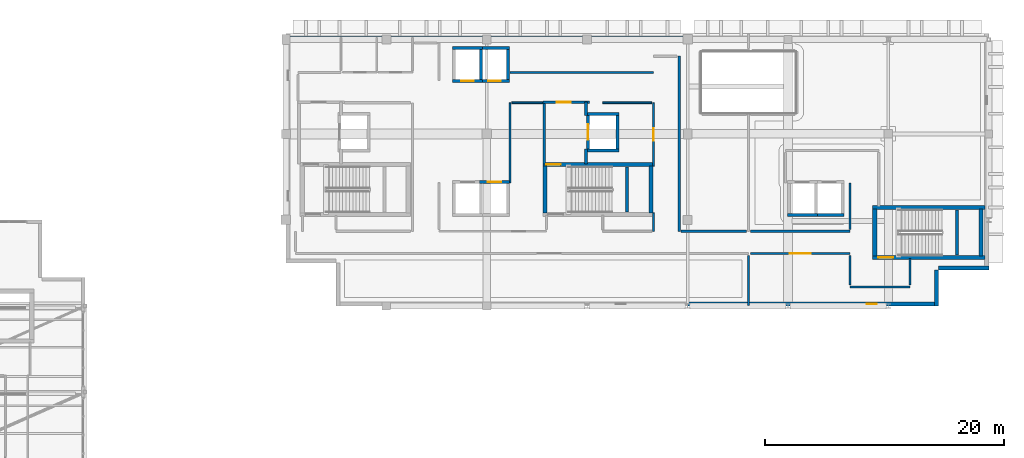
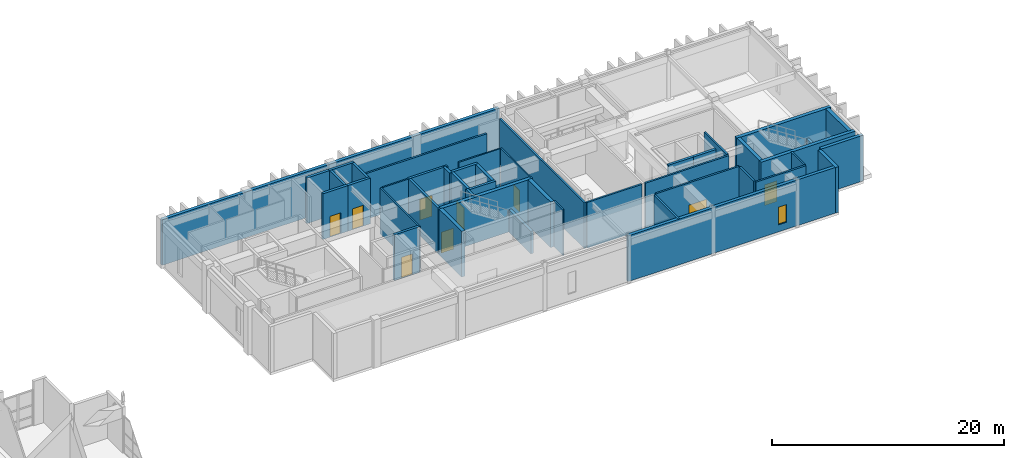
# One storey, part 29 of 34: 45 walls, 9 doors, 1 window, 10 openings.
"""IFC4 building model written with IfcOpenShell, lengths in metres."""

from ifc_helpers import new_model, si_unit, direction, frame, frame_2d, origin, place, context, subcontext, project, spatial, rectangle, extrude, material, layer, layer_set, type_object, element, fill, save


model = new_model("IFC4")

# Units and contexts
model_context = context("Model", 3, precision=1e-05, world=origin(), true_north=direction((0.0, 1.0)))
body_context = subcontext(model_context, "Body", "Model", "MODEL_VIEW")
ifc_project = project(units=[si_unit("LENGTHUNIT", "METRE"), si_unit("AREAUNIT", "SQUARE_METRE"), si_unit("VOLUMEUNIT", "CUBIC_METRE"), si_unit("PLANEANGLEUNIT", "RADIAN"), si_unit("MASSUNIT", "GRAM", prefix="KILO")], contexts=[model_context])

# Site, building, storey
site_placement = place(None, origin())
site = spatial("IfcSite", under=ifc_project, at=site_placement, CompositionType="ELEMENT")
building_placement = place(site_placement, origin())
building = spatial("IfcBuilding", under=site, at=building_placement, Name="Quendrovan Civic Courthouse", CompositionType="ELEMENT")
storey_placement = place(building_placement, frame((0.0, 0.0, 25.5)))
storey = spatial("IfcBuildingStorey", under=building, at=storey_placement, Name="L06", CompositionType="ELEMENT", Elevation=25.5)

# Wall, opening, door
ifc_material_1 = material(Name="Acoustic gypsum stud partition")
ifc_layer_1 = layer(ifc_material_1, 0.139892578125, Name="Acoustic gypsum stud partition")
ifc_layer_set_1 = layer_set([ifc_layer_1], Name="Acoustic gypsum stud partition")
wall_type_1 = type_object("IfcWallType", Name="WL-CHM-140", PredefinedType="PARTITIONING", material=ifc_layer_set_1)
wall_1_placement = place(storey_placement, frame((64.35009765625, 104.60009765625, 0.0), z_axis=(0.0, 0.0, 1.0), x_axis=(0.0, -1.0, 0.0)))
wall_1 = element("IfcWall", 1, at=wall_1_placement, inside=storey, type_object=wall_type_1, Name="L06 Judges' Chambers Suite Partition 0764", PredefinedType="PARTITIONING", context=body_context, shape_type="SweptSolid", body=[
    extrude(rectangle(XDim=5.300048828125, YDim=0.139892578125, at=frame_2d((2.64990234375, 0.0))), origin(), (0.0, 0.0, 1.0), 4.820068359375),
])
opening_1_placement = place(wall_1_placement, frame((2.1298828125, 0.0, 0.0)))
opening_1 = element("IfcOpeningElement", 2, at=opening_1_placement, cuts=wall_1, Name="Opening D-L06-113", PredefinedType="OPENING", context=body_context, shape_type="SweptSolid", body=[
    extrude(rectangle(XDim=1.0400390625, YDim=2.260009765625, at=frame_2d((0.52001953125, 1.1298828125))), frame((0.0, 0.080078125, 0.0), z_axis=(0.0, -1.0, 0.0), x_axis=(1.0, 0.0, 0.0)), (0.0, 0.0, 1.0), 0.159912109375),
])
ifc_material_2 = material(Name="Solid Western Red Cedar timber door", Category="wood")
door_type_1 = type_object("IfcDoorType", Name="DR-CHM-1040", OperationType="NOTDEFINED", PredefinedType="DOOR", material=ifc_material_2)
door_1_placement = place(opening_1_placement, origin())
door_1 = element("IfcDoor", 3, at=door_1_placement, inside=storey, type_object=door_type_1, Name="L06 Judges' Chambers Suite Door D-L06-113", OperationType="SINGLE_SWING_RIGHT", OverallHeight=2.260009765625, OverallWidth=1.0400390625, PredefinedType="DOOR", context=body_context, shape_type="SweptSolid", body=[
    extrude(rectangle(XDim=1.0400390625, YDim=2.260009765625, at=frame_2d((0.52001953125, 1.1298828125))), frame((0.0, 0.02490234375, 0.0), z_axis=(0.0, -1.0, 0.0), x_axis=(1.0, 0.0, 0.0)), (0.0, 0.0, 1.0), 0.050048828125),
])
fill(opening_1, door_1)

# Walls
wall_2_placement = place(storey_placement, frame((64.35009765625, 95.39990234375, 0.0), z_axis=(0.0, 0.0, 1.0), x_axis=(0.0, -1.0, 0.0)))
element("IfcWall", 4, at=wall_2_placement, inside=storey, type_object=wall_type_1, Name="L06 Judges' Chambers Suite Partition 0765", PredefinedType="PARTITIONING", context=body_context, shape_type="SweptSolid", body=[
    extrude(rectangle(XDim=1.5498046875, YDim=0.139892578125, at=frame_2d((0.77490234375, 0.0))), origin(), (0.0, 0.0, 1.0), 4.820068359375),
])
wall_3_placement = place(storey_placement, frame((60.10009765625, 104.60009765625, 0.0), z_axis=(0.0, 0.0, 1.0), x_axis=(1.0, 0.0, 0.0)))
element("IfcWall", 5, at=wall_3_placement, inside=storey, type_object=wall_type_1, Name="L06 Judges' Chambers Suite Partition 0785", PredefinedType="PARTITIONING", context=body_context, shape_type="SweptSolid", body=[
    extrude(rectangle(XDim=4.099853515625, YDim=0.139892578125, at=frame_2d((2.0498046875, 0.0))), origin(), (0.0, 0.0, 1.0), 4.820068359375),
])

# Wall, opening, door
ifc_material_3 = material(Name="Concrete C45/55", Category="concrete")
ifc_layer_2 = layer(ifc_material_3, 0.35009765625, Name="Concrete C45/55")
ifc_layer_set_2 = layer_set([ifc_layer_2], Name="Concrete C45/55")
wall_type_2 = type_object("IfcWallType", Name="WL-CORE-350", PredefinedType="SHEAR", material=ifc_layer_set_2)
wall_4_placement = place(storey_placement, frame((64.31005859375, 99.43505859375, 0.0), z_axis=(0.0, 0.0, 1.0), x_axis=(-1.0, 0.0, 0.0)))
wall_4 = element("IfcWall", 6, at=wall_4_placement, inside=storey, type_object=wall_type_2, Name="L06 Core Shear Wall ST2-N", PredefinedType="SHEAR", context=body_context, shape_type="SweptSolid", body=[
    extrude(rectangle(XDim=9.219970703125, YDim=0.35009765625, at=frame_2d((4.60986328125, 0.0))), origin(), (0.0, 0.0, 1.0), 4.820068359375),
])
opening_2_placement = place(wall_4_placement, frame((7.719970703125, 0.0, 0.0)))
opening_2 = element("IfcOpeningElement", 7, at=opening_2_placement, cuts=wall_4, Name="Opening DFF-ST2-L06", PredefinedType="OPENING", context=body_context, shape_type="SweptSolid", body=[
    extrude(rectangle(XDim=1.199951171875, YDim=2.199951171875, at=frame_2d((0.60009765625, 1.10009765625))), frame((0.0, 0.18505859375, 0.0), z_axis=(0.0, -1.0, 0.0), x_axis=(1.0, 0.0, 0.0)), (0.0, 0.0, 1.0), 0.3701171875),
])
ifc_material_4 = material(Name="Painted galvanized hollow-metal steel", Category="steel")
door_type_2 = type_object("IfcDoorType", Name="DR-FFLOB-1200", OperationType="NOTDEFINED", PredefinedType="DOOR", material=ifc_material_4)
door_2_placement = place(opening_2_placement, origin())
door_2 = element("IfcDoor", 8, at=door_2_placement, inside=storey, type_object=door_type_2, Name="L06 Firefighting Lobby FL2 Direct Stair ST2 Door", OperationType="SINGLE_SWING_RIGHT", OverallHeight=2.199951171875, OverallWidth=1.199951171875, PredefinedType="DOOR", context=body_context, shape_type="SweptSolid", body=[
    extrude(rectangle(XDim=1.199951171875, YDim=2.199951171875, at=frame_2d((0.60009765625, 1.10009765625))), frame((0.0, 0.02490234375, 0.0), z_axis=(0.0, -1.0, 0.0), x_axis=(1.0, 0.0, 0.0)), (0.0, 0.0, 1.0), 0.050048828125),
])
fill(opening_2, door_2)

# Walls
for number, where, z_axis, x_axis, name in (
    (9, (55.264892578125, 95.39990234375, 0.0), (0.0, 0.0, 1.0), (0.0, 1.0, 0.0), "L06 Core Shear Wall ST2-W"),
    (10, (64.135009765625, 99.300048828125, 0.0), (0.0, 0.0, 1.0), (0.0, -1.0, 0.0), "L06 Core Shear Wall ST2-E"),
):
    element("IfcWall", number, at=place(storey_placement, frame(where, z_axis=z_axis, x_axis=x_axis)), inside=storey, type_object=wall_type_2, Name=name, PredefinedType="SHEAR", context=body_context, shape_type="SweptSolid", body=[
        extrude(rectangle(XDim=3.900146484375, YDim=0.35009765625, at=frame_2d((1.9501953125, 0.0))), origin(), (0.0, 0.0, 1.0), 4.820068359375),
    ])

# Wall, opening, door
wall_5_placement = place(storey_placement, frame((82.68994140625, 91.6650390625, 0.0), z_axis=(0.0, 0.0, 1.0), x_axis=(1.0, 0.0, 0.0)))
wall_5 = element("IfcWall", 11, at=wall_5_placement, inside=storey, type_object=wall_type_2, Name="L06 Core Shear Wall ST3-S", PredefinedType="SHEAR", context=body_context, shape_type="SweptSolid", body=[
    extrude(rectangle(XDim=9.41015625, YDim=0.35009765625, at=frame_2d((4.705078125, 0.0))), origin(), (0.0, 0.0, 1.0), 4.820068359375),
])
opening_3_placement = place(wall_5_placement, frame((0.449951171875, 0.0, 0.0)))
opening_3 = element("IfcOpeningElement", 12, at=opening_3_placement, cuts=wall_5, Name="Opening DS-ST3-L06", PredefinedType="OPENING", context=body_context, shape_type="SweptSolid", body=[
    extrude(rectangle(XDim=1.25, YDim=2.199951171875, at=frame_2d((0.625, 1.10009765625))), frame((0.0, 0.18505859375, 0.0), z_axis=(0.0, -1.0, 0.0), x_axis=(1.0, 0.0, 0.0)), (0.0, 0.0, 1.0), 0.3701171875),
])
door_type_3 = type_object("IfcDoorType", Name="DR-STAIR-1250", OperationType="NOTDEFINED", PredefinedType="DOOR", material=ifc_material_4)
door_3_placement = place(opening_3_placement, origin())
door_3 = element("IfcDoor", 13, at=door_3_placement, inside=storey, type_object=door_type_3, Name="L06 Exit Stair ST3 Fire Door", OperationType="SINGLE_SWING_RIGHT", OverallHeight=2.199951171875, OverallWidth=1.25, PredefinedType="DOOR", context=body_context, shape_type="SweptSolid", body=[
    extrude(rectangle(XDim=1.25, YDim=2.199951171875, at=frame_2d((0.625, 1.10009765625))), frame((0.0, 0.02490234375, 0.0), z_axis=(0.0, -1.0, 0.0), x_axis=(1.0, 0.0, 0.0)), (0.0, 0.0, 1.0), 0.050048828125),
])
fill(opening_3, door_3)

# Walls
wall_6_placement = place(storey_placement, frame((92.10009765625, 95.8349609375, 0.0), z_axis=(0.0, 0.0, 1.0), x_axis=(-1.0, 0.0, 0.0)))
element("IfcWall", 14, at=wall_6_placement, inside=storey, type_object=wall_type_2, Name="L06 Core Shear Wall ST3-N", PredefinedType="SHEAR", context=body_context, shape_type="SweptSolid", body=[
    extrude(rectangle(XDim=9.41015625, YDim=0.35009765625, at=frame_2d((4.705078125, 0.0))), origin(), (0.0, 0.0, 1.0), 4.820068359375),
])
for number, where, z_axis, x_axis, name in (
    (15, (82.864990234375, 91.800048828125, 0.0), (0.0, 0.0, 1.0), (0.0, 1.0, 0.0), "L06 Core Shear Wall ST3-W"),
    (16, (91.735107421875, 95.699951171875, 0.0), (0.0, 0.0, 1.0), (0.0, -1.0, 0.0), "L06 Core Shear Wall ST3-E"),
):
    element("IfcWall", number, at=place(storey_placement, frame(where, z_axis=z_axis, x_axis=x_axis)), inside=storey, type_object=wall_type_2, Name=name, PredefinedType="SHEAR", context=body_context, shape_type="SweptSolid", body=[
        extrude(rectangle(XDim=3.89990234375, YDim=0.35009765625, at=frame_2d((1.949951171875, 0.0))), origin(), (0.0, 0.0, 1.0), 4.820068359375),
    ])
ifc_material_5 = material(Name="Acoustic gypsum and mineral wool partition")
ifc_layer_3 = layer(ifc_material_5, 0.179931640625, Name="Acoustic gypsum and mineral wool partition")
ifc_layer_set_3 = layer_set([ifc_layer_3], Name="Acoustic gypsum and mineral wool partition")
wall_type_3 = type_object("IfcWallType", Name="WL-CRT-AC180", PredefinedType="PARTITIONING", material=ifc_layer_set_3)
wall_7_placement = place(storey_placement, frame((66.5, 93.85009765625, 0.0), z_axis=(0.0, 0.0, 1.0), x_axis=(0.0, 1.0, 0.0)))
element("IfcWall", 17, at=wall_7_placement, inside=storey, type_object=wall_type_3, Name="L06 Family Courtroom Partition 0757", PredefinedType="PARTITIONING", context=body_context, shape_type="SweptSolid", body=[
    extrude(rectangle(XDim=14.64990234375, YDim=0.179931640625, at=frame_2d((7.324951171875, 0.0))), origin(), (0.0, 0.0, 1.0), 4.820068359375),
])
wall_8_placement = place(storey_placement, frame((64.35009765625, 107.14990234375, 0.0), z_axis=(0.0, 0.0, 1.0), x_axis=(-1.0, 0.0, 0.0)))
element("IfcWall", 18, at=wall_8_placement, inside=storey, type_object=wall_type_3, Name="L06 Family Courtroom Partition 0760", PredefinedType="PARTITIONING", context=body_context, shape_type="SweptSolid", body=[
    extrude(rectangle(XDim=12.0, YDim=0.179931640625, at=frame_2d((6.0, 0.0))), origin(), (0.0, 0.0, 1.0), 4.820068359375),
])

# Wall, opening, door
wall_9_placement = place(storey_placement, frame((72.469970703125, 92.0, 0.0), z_axis=(0.0, 0.0, 1.0), x_axis=(1.0, 0.0, 0.0)))
wall_9 = element("IfcWall", 19, at=wall_9_placement, inside=storey, type_object=wall_type_3, Name="L06 Trial Courtroom Partition 0768", PredefinedType="PARTITIONING", context=body_context, shape_type="SweptSolid", body=[
    extrude(rectangle(XDim=8.330078125, YDim=0.179931640625, at=frame_2d((4.1650390625, 0.0))), origin(), (0.0, 0.0, 1.0), 4.820068359375),
])
opening_4_placement = place(wall_9_placement, frame((3.284912109375, 0.0, 0.0)))
opening_4 = element("IfcOpeningElement", 20, at=opening_4_placement, cuts=wall_9, Name="Opening D-L06-111", PredefinedType="OPENING", context=body_context, shape_type="SweptSolid", body=[
    extrude(rectangle(XDim=1.760009765625, YDim=2.47998046875, at=frame_2d((0.8798828125, 1.239990234375))), frame((0.0, 0.10009765625, 0.0), z_axis=(0.0, -1.0, 0.0), x_axis=(1.0, 0.0, 0.0)), (0.0, 0.0, 1.0), 0.199951171875),
])
ifc_material_6 = material(Name="Acoustic solid Western Red Cedar timber door", Category="wood")
door_type_4 = type_object("IfcDoorType", Name="DR-CRT-DBL1760", OperationType="NOTDEFINED", PredefinedType="DOOR", material=ifc_material_6)
door_4_placement = place(opening_4_placement, origin())
door_4 = element("IfcDoor", 21, at=door_4_placement, inside=storey, type_object=door_type_4, Name="L06 Trial Courtroom Door D-L06-111", OperationType="SINGLE_SWING_RIGHT", OverallHeight=2.47998046875, OverallWidth=1.760009765625, PredefinedType="DOOR", context=body_context, shape_type="SweptSolid", body=[
    extrude(rectangle(XDim=1.760009765625, YDim=2.47998046875, at=frame_2d((0.8798828125, 1.239990234375))), frame((0.0, 0.02490234375, 0.0), z_axis=(0.0, -1.0, 0.0), x_axis=(1.0, 0.0, 0.0)), (0.0, 0.0, 1.0), 0.050048828125),
])
fill(opening_4, door_4)

# Walls
wall_10_placement = place(storey_placement, frame((80.800048828125, 93.85009765625, 0.0), z_axis=(0.0, 0.0, 1.0), x_axis=(-1.0, 0.0, 0.0)))
element("IfcWall", 22, at=wall_10_placement, inside=storey, type_object=wall_type_3, Name="L06 Trial Courtroom Partition 0769", PredefinedType="PARTITIONING", context=body_context, shape_type="SweptSolid", body=[
    extrude(rectangle(XDim=8.330078125, YDim=0.179931640625, at=frame_2d((4.1650390625, 0.0))), origin(), (0.0, 0.0, 1.0), 4.820068359375),
])
wall_11_placement = place(storey_placement, frame((72.1298828125, 93.85009765625, 0.0), z_axis=(0.0, 0.0, 1.0), x_axis=(-1.0, 0.0, 0.0)))
element("IfcWall", 23, at=wall_11_placement, inside=storey, type_object=wall_type_3, Name="L06 Family Courtroom Partition 0775", PredefinedType="PARTITIONING", context=body_context, shape_type="SweptSolid", body=[
    extrude(rectangle(XDim=5.4599609375, YDim=0.179931640625, at=frame_2d((2.72998046875, 0.0))), origin(), (0.0, 0.0, 1.0), 4.820068359375),
])
wall_12_placement = place(storey_placement, frame((80.800048828125, 89.199951171875, 0.0), z_axis=(0.0, 0.0, 1.0), x_axis=(1.0, 0.0, 0.0)))
element("IfcWall", 24, at=wall_12_placement, inside=storey, type_object=wall_type_3, Name="L06 Trial Courtroom Partition 0779", PredefinedType="PARTITIONING", context=body_context, shape_type="SweptSolid", body=[
    extrude(rectangle(XDim=5.0, YDim=0.179931640625, at=frame_2d((2.5, 0.0))), origin(), (0.0, 0.0, 1.0), 4.820068359375),
])
wall_13_placement = place(storey_placement, frame((72.300048828125, 91.830078125, 0.0), z_axis=(0.0, 0.0, 1.0), x_axis=(0.0, -1.0, 0.0)))
element("IfcWall", 25, at=wall_13_placement, inside=storey, type_object=wall_type_3, Name="L06 Family Courtroom Partition 0782", PredefinedType="PARTITIONING", context=body_context, shape_type="SweptSolid", body=[
    extrude(rectangle(XDim=4.170166015625, YDim=0.179931640625, at=frame_2d((2.0849609375, 0.0))), origin(), (0.0, 0.0, 1.0), 4.820068359375),
])
wall_14_placement = place(storey_placement, frame((80.800048828125, 97.89990234375, 0.0), z_axis=(0.0, 0.0, 1.0), x_axis=(0.0, -1.0, 0.0)))
element("IfcWall", 26, at=wall_14_placement, inside=storey, type_object=wall_type_3, Name="L06 Trial Courtroom Partition 0791", PredefinedType="PARTITIONING", context=body_context, shape_type="SweptSolid", body=[
    extrude(rectangle(XDim=3.8798828125, YDim=0.179931640625, at=frame_2d((1.93994140625, 0.0))), origin(), (0.0, 0.0, 1.0), 4.820068359375),
])
wall_15_placement = place(storey_placement, frame((80.800048828125, 91.830078125, 0.0), z_axis=(0.0, 0.0, 1.0), x_axis=(0.0, -1.0, 0.0)))
element("IfcWall", 27, at=wall_15_placement, inside=storey, type_object=wall_type_3, Name="L06 Trial Courtroom Partition 0801", PredefinedType="PARTITIONING", context=body_context, shape_type="SweptSolid", body=[
    extrude(rectangle(XDim=2.4599609375, YDim=0.179931640625, at=frame_2d((1.22998046875, 0.0))), origin(), (0.0, 0.0, 1.0), 4.820068359375),
])
wall_16_placement = place(storey_placement, frame((85.800048828125, 89.3701171875, 0.0), z_axis=(0.0, 0.0, 1.0), x_axis=(0.0, 1.0, 0.0)))
element("IfcWall", 28, at=wall_16_placement, inside=storey, type_object=wall_type_3, Name="L06 Trial Courtroom Partition 0807", PredefinedType="PARTITIONING", context=body_context, shape_type="SweptSolid", body=[
    extrude(rectangle(XDim=2.2099609375, YDim=0.179931640625, at=frame_2d((1.10498046875, 0.0))), origin(), (0.0, 0.0, 1.0), 4.820068359375),
])
ifc_material_7 = material(Name="Precast concrete C45/55", Category="concrete")
ifc_layer_4 = layer(ifc_material_7, 0.320068359375, Name="Precast concrete C45/55")
ifc_layer_set_4 = layer_set([ifc_layer_4], Name="Precast concrete C45/55")
wall_type_4 = type_object("IfcWallType", Name="WL-EXT-PC320", PredefinedType="SOLIDWALL", material=ifc_layer_set_4)
wall_17_placement = place(storey_placement, frame((92.39990234375, 90.780029296875, 0.0), z_axis=(0.0, 0.0, 1.0), x_axis=(-1.0, 0.0, 0.0)))
element("IfcWall", 29, at=wall_17_placement, inside=storey, type_object=wall_type_4, Name="L06 Exterior Precast Concrete Wall 494", PredefinedType="SOLIDWALL", context=body_context, shape_type="SweptSolid", body=[
    extrude(rectangle(XDim=4.199951171875, YDim=0.320068359375, at=frame_2d((2.10009765625, 0.0))), origin(), (0.0, 0.0, 1.0), 4.820068359375),
])
wall_18_placement = place(storey_placement, frame((88.02001953125, 90.60009765625, 0.0), z_axis=(0.0, 0.0, 1.0), x_axis=(0.0, -1.0, 0.0)))
element("IfcWall", 30, at=wall_18_placement, inside=storey, type_object=wall_type_4, Name="L06 Exterior Precast Concrete Wall 495", PredefinedType="SOLIDWALL", context=body_context, shape_type="SweptSolid", body=[
    extrude(rectangle(XDim=3.0, YDim=0.320068359375, at=frame_2d((1.5, 0.0))), origin(), (0.0, 0.0, 1.0), 4.820068359375),
])

# Wall, opening, window
wall_19_placement = place(storey_placement, frame((88.199951171875, 87.780029296875, 0.0), z_axis=(0.0, 0.0, 1.0), x_axis=(-1.0, 0.0, 0.0)))
wall_19 = element("IfcWall", 31, at=wall_19_placement, inside=storey, type_object=wall_type_4, Name="L06 Exterior Precast Concrete Wall 496", PredefinedType="SOLIDWALL", context=body_context, shape_type="SweptSolid", body=[
    extrude(rectangle(XDim=21.0, YDim=0.320068359375, at=frame_2d((10.5, 0.0))), origin(), (0.0, 0.0, 1.0), 4.820068359375),
])
opening_5_placement = place(wall_19_placement, frame((5.18994140625, 0.0, 0.75)))
opening_5 = element("IfcOpeningElement", 32, at=opening_5_placement, cuts=wall_19, Name="Opening W06", PredefinedType="OPENING", context=body_context, shape_type="SweptSolid", body=[
    extrude(rectangle(XDim=0.820068359375, YDim=1.85009765625, at=frame_2d((0.41015625, 0.925048828125))), frame((0.0, 0.169921875, 0.0), z_axis=(0.0, -1.0, 0.0), x_axis=(1.0, 0.0, 0.0)), (0.0, 0.0, 1.0), 0.340087890625),
])
ifc_material_8 = material(Name="Laminated hurricane-impact low-E glass", Category="glass")
window_type = type_object("IfcWindowType", Name="WIN-SLT-06", PartitioningType="SINGLE_PANEL", PredefinedType="WINDOW", material=ifc_material_8)
window_placement = place(opening_5_placement, origin())
window = element("IfcWindow", 33, at=window_placement, inside=storey, type_object=window_type, Name="L06 Courtroom Shaded Slot Window 0043", OverallHeight=1.85009765625, OverallWidth=0.820068359375, PartitioningType="SINGLE_PANEL", PredefinedType="WINDOW", context=body_context, shape_type="SweptSolid", body=[
    extrude(rectangle(XDim=0.820068359375, YDim=1.85009765625, at=frame_2d((0.41015625, 0.925048828125))), frame((0.0, 0.030029296875, 0.0), z_axis=(0.0, -1.0, 0.0), x_axis=(1.0, 0.0, 0.0)), (0.0, 0.0, 1.0), 0.06005859375),
])
fill(opening_5, window)

# Wall
wall_20_placement = place(storey_placement, frame((33.60009765625, 110.02001953125, 0.0), z_axis=(0.0, 0.0, 1.0), x_axis=(1.0, 0.0, 0.0)))
element("IfcWall", 34, at=wall_20_placement, inside=storey, type_object=wall_type_4, Name="L06 Exterior Precast Concrete Wall 501", PredefinedType="SOLIDWALL", context=body_context, shape_type="SweptSolid", body=[
    extrude(rectangle(XDim=33.599853515625, YDim=0.320068359375, at=frame_2d((16.7998046875, 0.0))), origin(), (0.0, 0.0, 1.0), 4.820068359375),
])

# Wall, opening, door
ifc_material_9 = material(Name="Concrete C40/50", Category="concrete")
ifc_layer_5 = layer(ifc_material_9, 0.22998046875, Name="Concrete C40/50")
ifc_layer_set_5 = layer_set([ifc_layer_5], Name="Concrete C40/50")
wall_type_5 = type_object("IfcWallType", Name="WL-FFLOB-230", PredefinedType="PARTITIONING", material=ifc_layer_set_5)
wall_21_placement = place(storey_placement, frame((55.090087890625, 104.64990234375, 0.0), z_axis=(0.0, 0.0, 1.0), x_axis=(1.0, 0.0, 0.0)))
wall_21 = element("IfcWall", 35, at=wall_21_placement, inside=storey, type_object=wall_type_5, Name="L06 Firefighting Lift Lobby FL2 Wall N", PredefinedType="PARTITIONING", context=body_context, shape_type="SweptSolid", body=[
    extrude(rectangle(XDim=3.889892578125, YDim=0.22998046875, at=frame_2d((1.94482421875, 0.0))), origin(), (0.0, 0.0, 1.0), 4.820068359375),
])
opening_6_placement = place(wall_21_placement, frame((1.14990234375, 0.0, 0.0)))
opening_6 = element("IfcOpeningElement", 36, at=opening_6_placement, cuts=wall_21, Name="Opening DF-FL2-L06N", PredefinedType="OPENING", context=body_context, shape_type="SweptSolid", body=[
    extrude(rectangle(XDim=1.199951171875, YDim=2.199951171875, at=frame_2d((0.60009765625, 1.10009765625))), frame((0.0, 0.125, 0.0), z_axis=(0.0, -1.0, 0.0), x_axis=(1.0, 0.0, 0.0)), (0.0, 0.0, 1.0), 0.25),
])
door_5_placement = place(opening_6_placement, origin())
door_5 = element("IfcDoor", 37, at=door_5_placement, inside=storey, type_object=door_type_2, Name="L06 Firefighting Lobby FL2 Fire Door N", OperationType="SINGLE_SWING_LEFT", OverallHeight=2.199951171875, OverallWidth=1.199951171875, PredefinedType="DOOR", context=body_context, shape_type="SweptSolid", body=[
    extrude(rectangle(XDim=1.199951171875, YDim=2.199951171875, at=frame_2d((0.60009765625, 1.10009765625))), frame((0.0, 0.02490234375, 0.0), z_axis=(0.0, -1.0, 0.0), x_axis=(1.0, 0.0, 0.0)), (0.0, 0.0, 1.0), 0.050048828125),
])
fill(opening_6, door_5)

# Walls
wall_22_placement = place(storey_placement, frame((55.199951171875, 99.5, 0.0), z_axis=(0.0, 0.0, 1.0), x_axis=(0.0, 1.0, 0.0)))
element("IfcWall", 38, at=wall_22_placement, inside=storey, type_object=wall_type_5, Name="L06 Firefighting Lift Lobby FL2 Wall W", PredefinedType="PARTITIONING", context=body_context, shape_type="SweptSolid", body=[
    extrude(rectangle(XDim=5.260009765625, YDim=0.22998046875, at=frame_2d((2.6298828125, 0.0))), origin(), (0.0, 0.0, 1.0), 4.820068359375),
])
wall_23_placement = place(storey_placement, frame((58.699951171875, 104.64990234375, 0.0), z_axis=(0.0, 0.0, 1.0), x_axis=(0.0, -1.0, 0.0)))
element("IfcWall", 39, at=wall_23_placement, inside=storey, type_object=wall_type_5, Name="L06 Firefighting Lift Lobby FL2 Wall EN", PredefinedType="PARTITIONING", context=body_context, shape_type="SweptSolid", body=[
    extrude(rectangle(XDim=1.099853515625, YDim=0.22998046875, at=frame_2d((0.5498046875, 0.0))), origin(), (0.0, 0.0, 1.0), 4.820068359375),
])
wall_24_placement = place(storey_placement, frame((58.699951171875, 100.75, 0.0), z_axis=(0.0, 0.0, 1.0), x_axis=(0.0, -1.0, 0.0)))
element("IfcWall", 40, at=wall_24_placement, inside=storey, type_object=wall_type_5, Name="L06 Firefighting Lift Lobby FL2 Wall ES", PredefinedType="PARTITIONING", context=body_context, shape_type="SweptSolid", body=[
    extrude(rectangle(XDim=1.25, YDim=0.22998046875, at=frame_2d((0.625, 0.0))), origin(), (0.0, 0.0, 1.0), 4.820068359375),
])
ifc_layer_6 = layer(ifc_material_1, 0.14990234375, Name="Acoustic gypsum stud partition")
ifc_layer_set_6 = layer_set([ifc_layer_6], Name="Acoustic gypsum stud partition")
wall_type_6 = type_object("IfcWallType", Name="WL-JURY-150", PredefinedType="PARTITIONING", material=ifc_layer_set_6)
wall_25_placement = place(storey_placement, frame((52.35009765625, 97.89990234375, 0.0), z_axis=(0.0, 0.0, 1.0), x_axis=(0.0, 1.0, 0.0)))
element("IfcWall", 41, at=wall_25_placement, inside=storey, type_object=wall_type_6, Name="L06 Jury Room Partition 0771", PredefinedType="PARTITIONING", context=body_context, shape_type="SweptSolid", body=[
    extrude(rectangle(XDim=6.7001953125, YDim=0.14990234375, at=frame_2d((3.35009765625, 0.0))), origin(), (0.0, 0.0, 1.0), 4.820068359375),
])
wall_26_placement = place(storey_placement, frame((52.5048828125, 104.60009765625, 0.0), z_axis=(0.0, 0.0, 1.0), x_axis=(1.0, 0.0, 0.0)))
element("IfcWall", 42, at=wall_26_placement, inside=storey, type_object=wall_type_6, Name="L06 Jury Room Partition 0804", PredefinedType="PARTITIONING", context=body_context, shape_type="SweptSolid", body=[
    extrude(rectangle(XDim=2.5751953125, YDim=0.14990234375, at=frame_2d((1.28759765625, 0.0))), origin(), (0.0, 0.0, 1.0), 4.820068359375),
])
ifc_layer_7 = layer(ifc_material_3, 0.25, Name="Concrete C45/55")
ifc_layer_set_7 = layer_set([ifc_layer_7], Name="Concrete C45/55")
wall_type_7 = type_object("IfcWallType", Name="WL-SHAFT-250", PredefinedType="SHEAR", material=ifc_layer_set_7)
wall_27_placement = place(storey_placement, frame((62.14990234375, 95.449951171875, 0.0), z_axis=(0.0, 0.0, 1.0), x_axis=(0.0, 1.0, 0.0)))
element("IfcWall", 43, at=wall_27_placement, inside=storey, type_object=wall_type_7, Name="L06 Stair ST2 Mid-Landing Bearing Wall", PredefinedType="SHEAR", context=body_context, shape_type="SweptSolid", body=[
    extrude(rectangle(XDim=3.800048828125, YDim=0.25, at=frame_2d((1.89990234375, 0.0))), origin(), (0.0, 0.0, 1.0), 2.3701171875),
])
wall_28_placement = place(storey_placement, frame((89.75, 91.85009765625, 0.0), z_axis=(0.0, 0.0, 1.0), x_axis=(0.0, 1.0, 0.0)))
element("IfcWall", 44, at=wall_28_placement, inside=storey, type_object=wall_type_7, Name="L06 Stair ST3 Mid-Landing Bearing Wall", PredefinedType="SHEAR", context=body_context, shape_type="SweptSolid", body=[
    extrude(rectangle(XDim=3.7998046875, YDim=0.25, at=frame_2d((1.89990234375, 0.0))), origin(), (0.0, 0.0, 1.0), 2.3701171875),
])
for number, where, z_axis, x_axis, name in (
    (45, (75.550048828125, 95.22509765625, 0.0), (0.0, 0.0, 1.0), (1.0, 0.0, 0.0), "L06 Lift Hoistway Wall PL1 -Y"),
    (46, (77.800048828125, 95.22509765625, 0.0), (0.0, 0.0, 1.0), (1.0, 0.0, 0.0), "L06 Lift Hoistway Wall PL2 -Y"),
):
    element("IfcWall", number, at=place(storey_placement, frame(where, z_axis=z_axis, x_axis=x_axis)), inside=storey, type_object=wall_type_7, Name=name, PredefinedType="SHEAR", context=body_context, shape_type="SweptSolid", body=[
        extrude(rectangle(XDim=2.5, YDim=0.25, at=frame_2d((1.25, 0.0))), origin(), (0.0, 0.0, 1.0), 4.820068359375),
    ])

# Wall, opening, door
wall_29_placement = place(storey_placement, frame((52.300048828125, 97.97509765625, 0.0), z_axis=(0.0, 0.0, 1.0), x_axis=(-1.0, 0.0, 0.0)))
wall_29 = element("IfcWall", 47, at=wall_29_placement, inside=storey, type_object=wall_type_7, Name="L06 Lift Hoistway Wall PL4 +Y", PredefinedType="SHEAR", context=body_context, shape_type="SweptSolid", body=[
    extrude(rectangle(XDim=2.5, YDim=0.25, at=frame_2d((1.25, 0.0))), origin(), (0.0, 0.0, 1.0), 4.820068359375),
])
opening_7_placement = place(wall_29_placement, frame((0.699951171875, 0.0, 0.0)))
opening_7 = element("IfcOpeningElement", 48, at=opening_7_placement, cuts=wall_29, Name="Opening LD-PL4-L06", PredefinedType="OPENING", context=body_context, shape_type="SweptSolid", body=[
    extrude(rectangle(XDim=1.10009765625, YDim=2.199951171875, at=frame_2d((0.550048828125, 1.10009765625))), frame((0.0, 0.135009765625, 0.0), z_axis=(0.0, -1.0, 0.0), x_axis=(1.0, 0.0, 0.0)), (0.0, 0.0, 1.0), 0.27001953125),
])
ifc_material_10 = material(Name="Brushed bronze-anodised stainless steel", Category="steel")
door_type_5 = type_object("IfcDoorType", Name="DR-LIFT-LD-PL", OperationType="NOTDEFINED", PredefinedType="DOOR", material=ifc_material_10)
door_6_placement = place(opening_7_placement, origin())
door_6 = element("IfcDoor", 49, at=door_6_placement, inside=storey, type_object=door_type_5, Name="L06 Lift PL4 Sliding Landing Door", OperationType="SLIDING_TO_LEFT", OverallHeight=2.199951171875, OverallWidth=1.10009765625, PredefinedType="DOOR", context=body_context, shape_type="SweptSolid", body=[
    extrude(rectangle(XDim=1.10009765625, YDim=2.199951171875, at=frame_2d((0.550048828125, 1.10009765625))), frame((0.0, 0.02490234375, 0.0), z_axis=(0.0, -1.0, 0.0), x_axis=(1.0, 0.0, 0.0)), (0.0, 0.0, 1.0), 0.050048828125),
])
fill(opening_7, door_6)

wall_30_placement = place(storey_placement, frame((47.550048828125, 106.425048828125, 0.0), z_axis=(0.0, 0.0, 1.0), x_axis=(1.0, 0.0, 0.0)))
wall_30 = element("IfcWall", 50, at=wall_30_placement, inside=storey, type_object=wall_type_7, Name="L06 Lift Hoistway Wall JL1 -Y", PredefinedType="SHEAR", context=body_context, shape_type="SweptSolid", body=[
    extrude(rectangle(XDim=2.5, YDim=0.25, at=frame_2d((1.25, 0.0))), origin(), (0.0, 0.0, 1.0), 4.820068359375),
])
opening_8_placement = place(wall_30_placement, frame((0.719970703125, 0.0, 0.0)))
opening_8 = element("IfcOpeningElement", 51, at=opening_8_placement, cuts=wall_30, Name="Opening LD-JL1-L06", PredefinedType="OPENING", context=body_context, shape_type="SweptSolid", body=[
    extrude(rectangle(XDim=1.06005859375, YDim=2.199951171875, at=frame_2d((0.530029296875, 1.10009765625))), frame((0.0, 0.135009765625, 0.0), z_axis=(0.0, -1.0, 0.0), x_axis=(1.0, 0.0, 0.0)), (0.0, 0.0, 1.0), 0.27001953125),
])
door_type_6 = type_object("IfcDoorType", Name="DR-LIFT-LD-JL", OperationType="NOTDEFINED", PredefinedType="DOOR", material=ifc_material_10)
door_7_placement = place(opening_8_placement, origin())
door_7 = element("IfcDoor", 52, at=door_7_placement, inside=storey, type_object=door_type_6, Name="L06 Lift JL1 Sliding Landing Door", OperationType="SLIDING_TO_LEFT", OverallHeight=2.199951171875, OverallWidth=1.06005859375, PredefinedType="DOOR", context=body_context, shape_type="SweptSolid", body=[
    extrude(rectangle(XDim=1.06005859375, YDim=2.199951171875, at=frame_2d((0.530029296875, 1.10009765625))), frame((0.0, 0.02490234375, 0.0), z_axis=(0.0, -1.0, 0.0), x_axis=(1.0, 0.0, 0.0)), (0.0, 0.0, 1.0), 0.050048828125),
])
fill(opening_8, door_7)

# Walls
for number, where, z_axis, x_axis, name in (
    (53, (50.050048828125, 109.175048828125, 0.0), (0.0, 0.0, 1.0), (-1.0, 0.0, 0.0), "L06 Lift Hoistway Wall JL1 +Y"),
    (54, (49.925048828125, 109.050048828125, 0.0), (0.0, 0.0, 1.0), (0.0, -1.0, 0.0), "L06 Lift Hoistway Wall JL1 +X"),
):
    element("IfcWall", number, at=place(storey_placement, frame(where, z_axis=z_axis, x_axis=x_axis)), inside=storey, type_object=wall_type_7, Name=name, PredefinedType="SHEAR", context=body_context, shape_type="SweptSolid", body=[
        extrude(rectangle(XDim=2.5, YDim=0.25, at=frame_2d((1.25, 0.0))), origin(), (0.0, 0.0, 1.0), 4.820068359375),
    ])

# Wall, opening, door
wall_31_placement = place(storey_placement, frame((49.800048828125, 106.425048828125, 0.0), z_axis=(0.0, 0.0, 1.0), x_axis=(1.0, 0.0, 0.0)))
wall_31 = element("IfcWall", 55, at=wall_31_placement, inside=storey, type_object=wall_type_7, Name="L06 Lift Hoistway Wall JL2 -Y", PredefinedType="SHEAR", context=body_context, shape_type="SweptSolid", body=[
    extrude(rectangle(XDim=2.5, YDim=0.25, at=frame_2d((1.25, 0.0))), origin(), (0.0, 0.0, 1.0), 4.820068359375),
])
opening_9_placement = place(wall_31_placement, frame((0.719970703125, 0.0, 0.0)))
opening_9 = element("IfcOpeningElement", 56, at=opening_9_placement, cuts=wall_31, Name="Opening LD-JL2-L06", PredefinedType="OPENING", context=body_context, shape_type="SweptSolid", body=[
    extrude(rectangle(XDim=1.06005859375, YDim=2.199951171875, at=frame_2d((0.530029296875, 1.10009765625))), frame((0.0, 0.135009765625, 0.0), z_axis=(0.0, -1.0, 0.0), x_axis=(1.0, 0.0, 0.0)), (0.0, 0.0, 1.0), 0.27001953125),
])
door_8_placement = place(opening_9_placement, origin())
door_8 = element("IfcDoor", 57, at=door_8_placement, inside=storey, type_object=door_type_6, Name="L06 Lift JL2 Sliding Landing Door", OperationType="SLIDING_TO_LEFT", OverallHeight=2.199951171875, OverallWidth=1.06005859375, PredefinedType="DOOR", context=body_context, shape_type="SweptSolid", body=[
    extrude(rectangle(XDim=1.06005859375, YDim=2.199951171875, at=frame_2d((0.530029296875, 1.10009765625))), frame((0.0, 0.02490234375, 0.0), z_axis=(0.0, -1.0, 0.0), x_axis=(1.0, 0.0, 0.0)), (0.0, 0.0, 1.0), 0.050048828125),
])
fill(opening_9, door_8)

# Walls
for number, where, z_axis, x_axis, name in (
    (58, (52.300048828125, 109.175048828125, 0.0), (0.0, 0.0, 1.0), (-1.0, 0.0, 0.0), "L06 Lift Hoistway Wall JL2 +Y"),
    (59, (52.175048828125, 109.050048828125, 0.0), (0.0, 0.0, 1.0), (0.0, -1.0, 0.0), "L06 Lift Hoistway Wall JL2 +X"),
):
    element("IfcWall", number, at=place(storey_placement, frame(where, z_axis=z_axis, x_axis=x_axis)), inside=storey, type_object=wall_type_7, Name=name, PredefinedType="SHEAR", context=body_context, shape_type="SweptSolid", body=[
        extrude(rectangle(XDim=2.5, YDim=0.25, at=frame_2d((1.25, 0.0))), origin(), (0.0, 0.0, 1.0), 4.820068359375),
    ])
for number, where, z_axis, x_axis, name in (
    (60, (58.75, 100.625, 0.0), (0.0, 0.0, 1.0), (1.0, 0.0, 0.0), "L06 Lift Hoistway Wall FL2 -Y"),
    (61, (61.449951171875, 103.675048828125, 0.0), (0.0, 0.0, 1.0), (-1.0, 0.0, 0.0), "L06 Lift Hoistway Wall FL2 +Y"),
):
    element("IfcWall", number, at=place(storey_placement, frame(where, z_axis=z_axis, x_axis=x_axis)), inside=storey, type_object=wall_type_7, Name=name, PredefinedType="SHEAR", context=body_context, shape_type="SweptSolid", body=[
        extrude(rectangle(XDim=2.699951171875, YDim=0.25, at=frame_2d((1.35009765625, 0.0))), origin(), (0.0, 0.0, 1.0), 4.820068359375),
    ])

# Wall, opening, door
wall_32_placement = place(storey_placement, frame((58.875, 100.75, 0.0), z_axis=(0.0, 0.0, 1.0), x_axis=(0.0, 1.0, 0.0)))
wall_32 = element("IfcWall", 62, at=wall_32_placement, inside=storey, type_object=wall_type_7, Name="L06 Lift Hoistway Wall FL2 -X", PredefinedType="SHEAR", context=body_context, shape_type="SweptSolid", body=[
    extrude(rectangle(XDim=2.800048828125, YDim=0.25, at=frame_2d((1.39990234375, 0.0))), origin(), (0.0, 0.0, 1.0), 4.820068359375),
])
opening_10_placement = place(wall_32_placement, frame((0.75, 0.0, 0.0)))
opening_10 = element("IfcOpeningElement", 63, at=opening_10_placement, cuts=wall_32, Name="Opening LD-FL2-L06", PredefinedType="OPENING", context=body_context, shape_type="SweptSolid", body=[
    extrude(rectangle(XDim=1.300048828125, YDim=2.25, at=frame_2d((0.64990234375, 1.125))), frame((0.0, 0.135009765625, 0.0), z_axis=(0.0, -1.0, 0.0), x_axis=(1.0, 0.0, 0.0)), (0.0, 0.0, 1.0), 0.27001953125),
])
ifc_material_11 = material(Name="Smoke-tight fire-service stainless steel", Category="steel")
door_type_7 = type_object("IfcDoorType", Name="DR-LIFT-LD-FL", OperationType="NOTDEFINED", PredefinedType="DOOR", material=ifc_material_11)
door_9_placement = place(opening_10_placement, origin())
door_9 = element("IfcDoor", 64, at=door_9_placement, inside=storey, type_object=door_type_7, Name="L06 Lift FL2 Sliding Landing Door", OperationType="SLIDING_TO_LEFT", OverallHeight=2.25, OverallWidth=1.300048828125, PredefinedType="DOOR", context=body_context, shape_type="SweptSolid", body=[
    extrude(rectangle(XDim=1.300048828125, YDim=2.25, at=frame_2d((0.64990234375, 1.125))), frame((0.0, 0.02490234375, 0.0), z_axis=(0.0, -1.0, 0.0), x_axis=(1.0, 0.0, 0.0)), (0.0, 0.0, 1.0), 0.050048828125),
])
fill(opening_10, door_9)

# Wall
wall_33_placement = place(storey_placement, frame((61.324951171875, 103.550048828125, 0.0), z_axis=(0.0, 0.0, 1.0), x_axis=(0.0, -1.0, 0.0)))
element("IfcWall", 65, at=wall_33_placement, inside=storey, type_object=wall_type_7, Name="L06 Lift Hoistway Wall FL2 +X", PredefinedType="SHEAR", context=body_context, shape_type="SweptSolid", body=[
    extrude(rectangle(XDim=2.800048828125, YDim=0.25, at=frame_2d((1.39990234375, 0.0))), origin(), (0.0, 0.0, 1.0), 4.820068359375),
])

save(model, "model.ifc")
